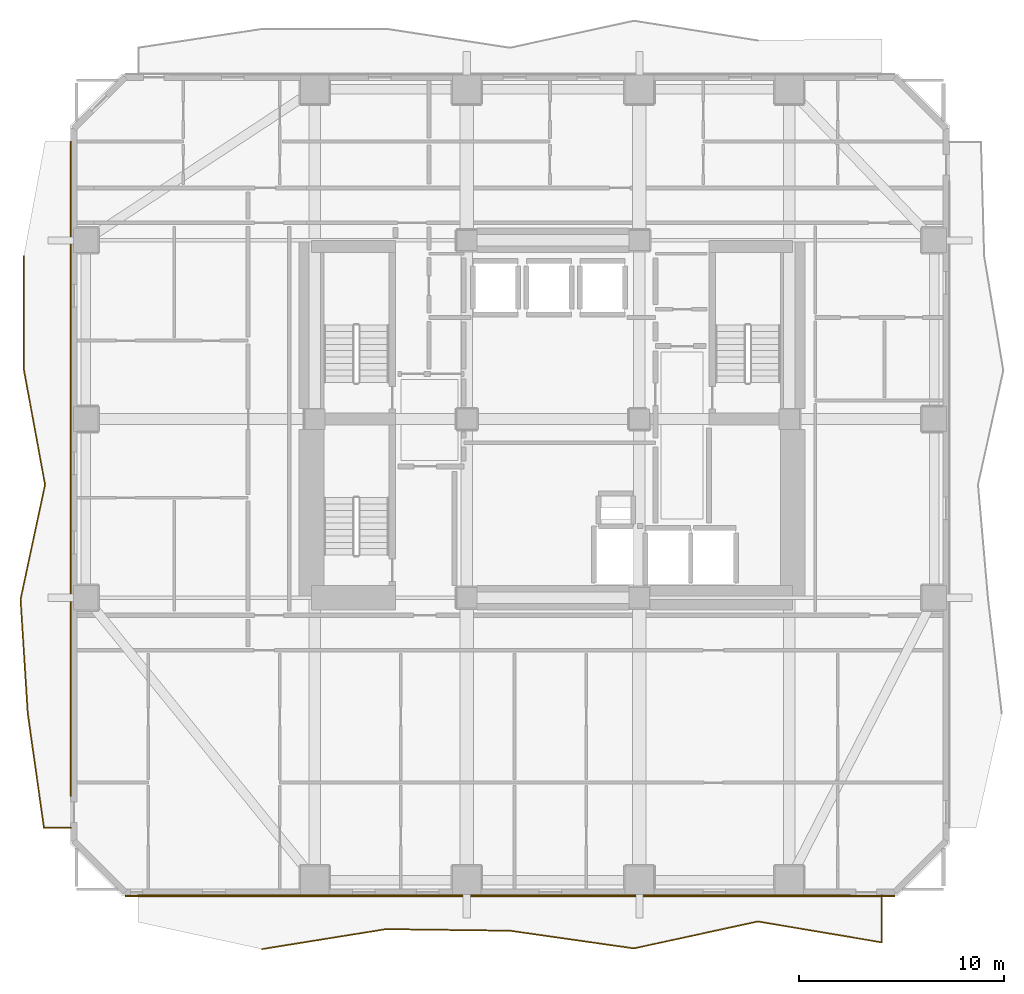
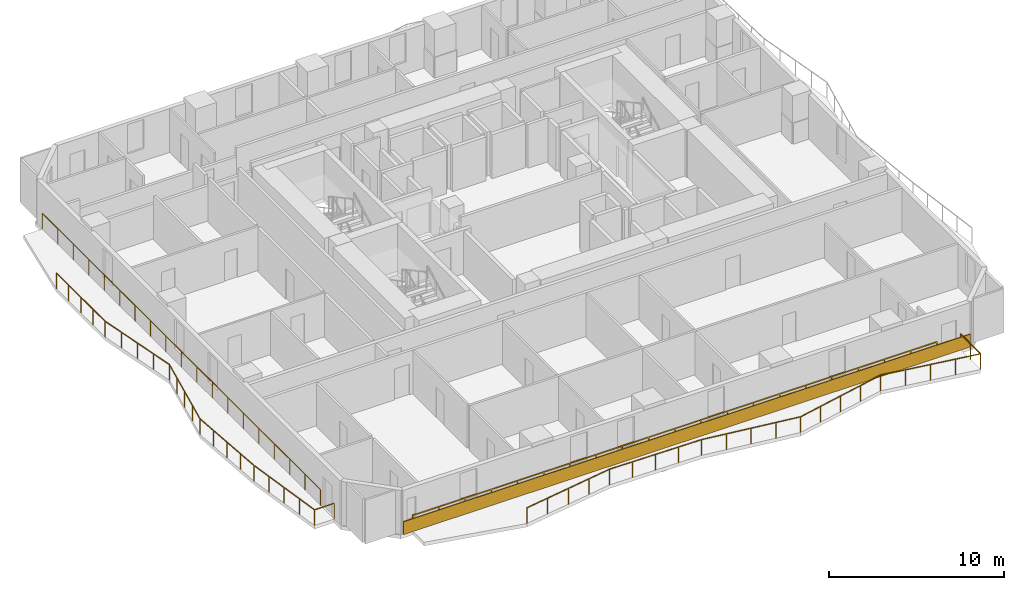
# One storey, part 8 of 11: 4 railings, 1 covering.
"""IFC4 building model written with IfcOpenShell, lengths in metres."""

from ifc_helpers import new_model, si_unit, direction, frame, frame_2d, origin, origin_2d, place, context, subcontext, project, spatial, rectangle, extrude, material, layer, layer_set, type_object, element, save


model = new_model("IFC4")

# Units and contexts
model_context = context("Model", 3, precision=1e-05, world=origin(), true_north=direction((0.0, 1.0)))
body_context = subcontext(model_context, "Body", "Model", "MODEL_VIEW")
ifc_project = project(units=[si_unit("LENGTHUNIT", "METRE"), si_unit("AREAUNIT", "SQUARE_METRE"), si_unit("VOLUMEUNIT", "CUBIC_METRE"), si_unit("PLANEANGLEUNIT", "RADIAN"), si_unit("MASSUNIT", "GRAM", prefix="KILO")], contexts=[model_context])

# Site, building, storey
site_placement = place(None, origin())
site = spatial("IfcSite", under=ifc_project, at=site_placement, CompositionType="ELEMENT")
building_placement = place(site_placement, origin())
building = spatial("IfcBuilding", under=site, at=building_placement, Name="Solanera Arch Residences", CompositionType="ELEMENT")
storey_placement = place(building_placement, frame((0.0, 0.0, 35.280029296875)))
storey = spatial("IfcBuildingStorey", under=building, at=storey_placement, Name="L09", CompositionType="ELEMENT", Elevation=35.280029296875)

# Railings
ifc_material_1 = material(Name="Steel S355 (ASTM A992 / A572 Grade 50)", Category="steel")
railing_type = type_object("IfcRailingType", Name="Balustrade Railing BL-1100", PredefinedType="BALUSTRADE", material=ifc_material_1)
railing_1_placement = place(storey_placement, frame((10.8330078125, 4.89404296875, 0.0)))
element("IfcRailing", 1, at=railing_1_placement, inside=storey, type_object=railing_type, Name="L09 S Balcony Balustrade 1", PredefinedType="BALUSTRADE", context=body_context, shape_type="SweptSolid", body=[
    extrude(rectangle(XDim=0.048095703125, YDim=0.048095703125, at=origin_2d()), frame((0.0, 0.0, 1.09619140625), z_axis=(0.987274320338, 0.159026464466, 0.0), x_axis=(-0.159026464466, 0.987274320338, 0.0)), (0.0, 0.0, 1.0), 6.11181640625),
    extrude(rectangle(XDim=0.048095703125, YDim=0.048095703125, at=origin_2d()), frame((6.033935546875, 0.971923828125, 1.09619140625), z_axis=(0.999916686294, -0.012908155191, 0.0), x_axis=(0.012908155191, 0.999916686294, 0.0)), (0.0, 0.0, 1.0), 6.033447265625),
    extrude(rectangle(XDim=0.048095703125, YDim=0.048095703125, at=origin_2d()), frame((12.06689453125, 0.89404296875, 1.09619140625), z_axis=(0.989967912954, -0.14129236116, 0.0), x_axis=(0.14129236116, 0.989967912954, 0.0)), (0.0, 0.0, 1.0), 6.09423828125),
    extrude(rectangle(XDim=0.048095703125, YDim=0.048095703125, at=origin_2d()), frame((18.10009765625, 0.032958984375, 1.09619140625), z_axis=(0.977199553197, 0.212322945607, 0.0), x_axis=(-0.212322945607, 0.977199553197, 0.0)), (0.0, 0.0, 1.0), 6.1748046875),
    extrude(rectangle(XDim=0.048095703125, YDim=0.048095703125, at=origin_2d()), frame((24.134033203125, 1.343994140625, 1.09619140625), z_axis=(0.986084825782, -0.166242943799, 0.0), x_axis=(0.166242943799, 0.986084825782, 0.0)), (0.0, 0.0, 1.0), 6.1181640625),
    extrude(rectangle(XDim=0.048095703125, YDim=0.048095703125, at=origin_2d()), frame((30.1669921875, 0.326904296875, 1.09619140625), z_axis=(0.0, 1.0, 0.0), x_axis=(-1.0, 0.0, 0.0)), (0.0, 0.0, 1.0), 2.299072265625),
    extrude(rectangle(XDim=0.0419921875, YDim=0.0419921875, at=origin_2d()), origin(), (0.0, 0.0, 1.0), 1.072021484375),
    extrude(rectangle(XDim=0.0419921875, YDim=0.0419921875, at=origin_2d()), frame((1.508544921875, 0.242919921875, 0.0)), (0.0, 0.0, 1.0), 1.072021484375),
    extrude(rectangle(XDim=0.0419921875, YDim=0.0419921875, at=origin_2d()), frame((3.01708984375, 0.48583984375, 0.0)), (0.0, 0.0, 1.0), 1.072021484375),
    extrude(rectangle(XDim=0.0419921875, YDim=0.0419921875, at=origin_2d()), frame((4.525390625, 0.72900390625, 0.0)), (0.0, 0.0, 1.0), 1.072021484375),
    extrude(rectangle(XDim=0.0419921875, YDim=0.0419921875, at=origin_2d()), frame((6.033935546875, 0.971923828125, 0.0)), (0.0, 0.0, 1.0), 1.072021484375),
    extrude(rectangle(XDim=0.0419921875, YDim=0.0419921875, at=origin_2d()), frame((7.542236328125, 0.952392578125, 0.0)), (0.0, 0.0, 1.0), 1.072021484375),
    extrude(rectangle(XDim=0.0419921875, YDim=0.0419921875, at=origin_2d()), frame((9.05029296875, 0.93310546875, 0.0)), (0.0, 0.0, 1.0), 1.072021484375),
    extrude(rectangle(XDim=0.0419921875, YDim=0.0419921875, at=origin_2d()), frame((10.55859375, 0.91357421875, 0.0)), (0.0, 0.0, 1.0), 1.072021484375),
    extrude(rectangle(XDim=0.0419921875, YDim=0.0419921875, at=origin_2d()), frame((12.06689453125, 0.89404296875, 0.0)), (0.0, 0.0, 1.0), 1.072021484375),
    extrude(rectangle(XDim=0.0419921875, YDim=0.0419921875, at=origin_2d()), frame((13.5751953125, 0.6787109375, 0.0)), (0.0, 0.0, 1.0), 1.072021484375),
    extrude(rectangle(XDim=0.0419921875, YDim=0.0419921875, at=origin_2d()), frame((15.08349609375, 0.46337890625, 0.0)), (0.0, 0.0, 1.0), 1.072021484375),
    extrude(rectangle(XDim=0.0419921875, YDim=0.0419921875, at=origin_2d()), frame((16.591796875, 0.248291015625, 0.0)), (0.0, 0.0, 1.0), 1.072021484375),
    extrude(rectangle(XDim=0.0419921875, YDim=0.0419921875, at=origin_2d()), frame((18.10009765625, 0.032958984375, 0.0)), (0.0, 0.0, 1.0), 1.072021484375),
    extrude(rectangle(XDim=0.0419921875, YDim=0.0419921875, at=origin_2d()), frame((19.608642578125, 0.36083984375, 0.0)), (0.0, 0.0, 1.0), 1.072021484375),
    extrude(rectangle(XDim=0.0419921875, YDim=0.0419921875, at=origin_2d()), frame((21.1171875, 0.6884765625, 0.0)), (0.0, 0.0, 1.0), 1.072021484375),
    extrude(rectangle(XDim=0.0419921875, YDim=0.0419921875, at=origin_2d()), frame((22.62548828125, 1.01611328125, 0.0)), (0.0, 0.0, 1.0), 1.072021484375),
    extrude(rectangle(XDim=0.0419921875, YDim=0.0419921875, at=origin_2d()), frame((24.134033203125, 1.343994140625, 0.0)), (0.0, 0.0, 1.0), 1.072021484375),
    extrude(rectangle(XDim=0.0419921875, YDim=0.0419921875, at=origin_2d()), frame((25.642333984375, 1.08984375, 0.0)), (0.0, 0.0, 1.0), 1.072021484375),
    extrude(rectangle(XDim=0.0419921875, YDim=0.0419921875, at=origin_2d()), frame((27.150390625, 0.83544921875, 0.0)), (0.0, 0.0, 1.0), 1.072021484375),
    extrude(rectangle(XDim=0.0419921875, YDim=0.0419921875, at=origin_2d()), frame((28.65869140625, 0.5810546875, 0.0)), (0.0, 0.0, 1.0), 1.072021484375),
    extrude(rectangle(XDim=0.0419921875, YDim=0.0419921875, at=origin_2d()), frame((30.1669921875, 0.326904296875, 0.0)), (0.0, 0.0, 1.0), 1.072021484375),
    extrude(rectangle(XDim=0.0419921875, YDim=0.0419921875, at=origin_2d()), frame((30.1669921875, 1.4765625, 0.0)), (0.0, 0.0, 1.0), 1.072021484375),
    extrude(rectangle(XDim=0.0419921875, YDim=0.0419921875, at=origin_2d()), frame((30.1669921875, 2.6259765625, 0.0)), (0.0, 0.0, 1.0), 1.072021484375),
])
railing_2_placement = place(storey_placement, frame((39.43408203125, 7.52001953125, 0.0)))
element("IfcRailing", 2, at=railing_2_placement, inside=storey, type_object=railing_type, Name="L09 S Balcony Balustrade 2", PredefinedType="BALUSTRADE", context=body_context, shape_type="SweptSolid", body=[
    extrude(rectangle(XDim=0.048095703125, YDim=0.048095703125, at=origin_2d()), frame((0.0, 0.0, 1.09619140625), z_axis=(-1.0, 0.0, 0.0), x_axis=(0.0, -1.0, 0.0)), (0.0, 0.0, 1.0), 34.634033203125),
    extrude(rectangle(XDim=0.0419921875, YDim=0.0419921875, at=origin_2d()), origin(), (0.0, 0.0, 1.0), 1.072021484375),
    extrude(rectangle(XDim=0.0419921875, YDim=0.0419921875, at=origin_2d()), frame((-1.731689453125, 0.0, 0.0)), (0.0, 0.0, 1.0), 1.072021484375),
    extrude(rectangle(XDim=0.0419921875, YDim=0.0419921875, at=origin_2d()), frame((-3.46337890625, 0.0, 0.0)), (0.0, 0.0, 1.0), 1.072021484375),
    extrude(rectangle(XDim=0.0419921875, YDim=0.0419921875, at=origin_2d()), frame((-5.195068359375, 0.0, 0.0)), (0.0, 0.0, 1.0), 1.072021484375),
    extrude(rectangle(XDim=0.0419921875, YDim=0.0419921875, at=origin_2d()), frame((-6.9267578125, 0.0, 0.0)), (0.0, 0.0, 1.0), 1.072021484375),
    extrude(rectangle(XDim=0.0419921875, YDim=0.0419921875, at=origin_2d()), frame((-8.658447265625, 0.0, 0.0)), (0.0, 0.0, 1.0), 1.072021484375),
    extrude(rectangle(XDim=0.0419921875, YDim=0.0419921875, at=origin_2d()), frame((-10.39013671875, 0.0, 0.0)), (0.0, 0.0, 1.0), 1.072021484375),
    extrude(rectangle(XDim=0.0419921875, YDim=0.0419921875, at=origin_2d()), frame((-12.121826171875, 0.0, 0.0)), (0.0, 0.0, 1.0), 1.072021484375),
    extrude(rectangle(XDim=0.0419921875, YDim=0.0419921875, at=origin_2d()), frame((-13.853515625, 0.0, 0.0)), (0.0, 0.0, 1.0), 1.072021484375),
    extrude(rectangle(XDim=0.0419921875, YDim=0.0419921875, at=origin_2d()), frame((-15.585205078125, 0.0, 0.0)), (0.0, 0.0, 1.0), 1.072021484375),
    extrude(rectangle(XDim=0.0419921875, YDim=0.0419921875, at=origin_2d()), frame((-17.31689453125, 0.0, 0.0)), (0.0, 0.0, 1.0), 1.072021484375),
    extrude(rectangle(XDim=0.0419921875, YDim=0.0419921875, at=origin_2d()), frame((-19.048828125, 0.0, 0.0)), (0.0, 0.0, 1.0), 1.072021484375),
    extrude(rectangle(XDim=0.0419921875, YDim=0.0419921875, at=origin_2d()), frame((-20.780517578125, 0.0, 0.0)), (0.0, 0.0, 1.0), 1.072021484375),
    extrude(rectangle(XDim=0.0419921875, YDim=0.0419921875, at=origin_2d()), frame((-22.51220703125, 0.0, 0.0)), (0.0, 0.0, 1.0), 1.072021484375),
    extrude(rectangle(XDim=0.0419921875, YDim=0.0419921875, at=origin_2d()), frame((-24.243896484375, 0.0, 0.0)), (0.0, 0.0, 1.0), 1.072021484375),
    extrude(rectangle(XDim=0.0419921875, YDim=0.0419921875, at=origin_2d()), frame((-25.9755859375, 0.0, 0.0)), (0.0, 0.0, 1.0), 1.072021484375),
    extrude(rectangle(XDim=0.0419921875, YDim=0.0419921875, at=origin_2d()), frame((-27.707275390625, 0.0, 0.0)), (0.0, 0.0, 1.0), 1.072021484375),
    extrude(rectangle(XDim=0.0419921875, YDim=0.0419921875, at=origin_2d()), frame((-29.43896484375, 0.0, 0.0)), (0.0, 0.0, 1.0), 1.072021484375),
    extrude(rectangle(XDim=0.0419921875, YDim=0.0419921875, at=origin_2d()), frame((-31.170654296875, 0.0, 0.0)), (0.0, 0.0, 1.0), 1.072021484375),
    extrude(rectangle(XDim=0.0419921875, YDim=0.0419921875, at=origin_2d()), frame((-32.90234375, 0.0, 0.0)), (0.0, 0.0, 1.0), 1.072021484375),
    extrude(rectangle(XDim=0.0419921875, YDim=0.0419921875, at=origin_2d()), frame((-34.634033203125, 0.0, 0.0)), (0.0, 0.0, 1.0), 1.072021484375),
])
railing_3_placement = place(storey_placement, frame((-0.77099609375, 38.633056640625, 0.0)))
element("IfcRailing", 3, at=railing_3_placement, inside=storey, type_object=railing_type, Name="L09 W Balcony Balustrade 1", PredefinedType="BALUSTRADE", context=body_context, shape_type="SweptSolid", body=[
    extrude(rectangle(XDim=0.048095703125, YDim=0.048095703125, at=origin_2d()), frame((0.0, 0.0, 1.09619140625), z_axis=(0.001622876059, -0.999998683136, 0.0), x_axis=(0.999998683136, 0.001622876059, 0.0)), (0.0, 0.0, 1.0), 5.566162109375),
    extrude(rectangle(XDim=0.048095703125, YDim=0.048095703125, at=origin_2d()), frame((0.009033203125, -5.566162109375, 1.09619140625), z_axis=(0.181063628986, -0.983471383548, 0.0), x_axis=(0.983471383548, 0.181063628986, 0.0)), (0.0, 0.0, 1.0), 5.660400390625),
    extrude(rectangle(XDim=0.048095703125, YDim=0.048095703125, at=origin_2d()), frame((1.033935546875, -11.133056640625, 1.09619140625), z_axis=(-0.209359223468, -0.977838798345, 0.0), x_axis=(0.977838798345, -0.209359223468, 0.0)), (0.0, 0.0, 1.0), 5.693115234375),
    extrude(rectangle(XDim=0.048095703125, YDim=0.048095703125, at=origin_2d()), frame((-0.157958984375, -16.699951171875, 1.09619140625), z_axis=(0.062729846452, -0.998030543803, 0.0), x_axis=(0.998030543803, 0.062729846452, 0.0)), (0.0, 0.0, 1.0), 5.5771484375),
    extrude(rectangle(XDim=0.048095703125, YDim=0.048095703125, at=origin_2d()), frame((0.19189453125, -22.26611328125, 1.09619140625), z_axis=(0.140168928366, -0.990127603656, 0.0), x_axis=(0.990127603656, 0.140168928366, 0.0)), (0.0, 0.0, 1.0), 5.622314453125),
    extrude(rectangle(XDim=0.048095703125, YDim=0.048095703125, at=origin_2d()), frame((0.97998046875, -27.8330078125, 1.09619140625), z_axis=(1.0, 0.0, 0.0), x_axis=(0.0, 1.0, 0.0)), (0.0, 0.0, 1.0), 1.31103515625),
    extrude(rectangle(XDim=0.0419921875, YDim=0.0419921875, at=origin_2d()), origin(), (0.0, 0.0, 1.0), 1.072021484375),
    extrude(rectangle(XDim=0.0419921875, YDim=0.0419921875, at=origin_2d()), frame((0.002197265625, -1.3916015625, 0.0)), (0.0, 0.0, 1.0), 1.072021484375),
    extrude(rectangle(XDim=0.0419921875, YDim=0.0419921875, at=origin_2d()), frame((0.00439453125, -2.783203125, 0.0)), (0.0, 0.0, 1.0), 1.072021484375),
    extrude(rectangle(XDim=0.0419921875, YDim=0.0419921875, at=origin_2d()), frame((0.0068359375, -4.174560546875, 0.0)), (0.0, 0.0, 1.0), 1.072021484375),
    extrude(rectangle(XDim=0.0419921875, YDim=0.0419921875, at=origin_2d()), frame((0.009033203125, -5.566162109375, 0.0)), (0.0, 0.0, 1.0), 1.072021484375),
    extrude(rectangle(XDim=0.0419921875, YDim=0.0419921875, at=origin_2d()), frame((0.26513671875, -6.9580078125, 0.0)), (0.0, 0.0, 1.0), 1.072021484375),
    extrude(rectangle(XDim=0.0419921875, YDim=0.0419921875, at=origin_2d()), frame((0.521484375, -8.349609375, 0.0)), (0.0, 0.0, 1.0), 1.072021484375),
    extrude(rectangle(XDim=0.0419921875, YDim=0.0419921875, at=origin_2d()), frame((0.77783203125, -9.7412109375, 0.0)), (0.0, 0.0, 1.0), 1.072021484375),
    extrude(rectangle(XDim=0.0419921875, YDim=0.0419921875, at=origin_2d()), frame((1.033935546875, -11.133056640625, 0.0)), (0.0, 0.0, 1.0), 1.072021484375),
    extrude(rectangle(XDim=0.0419921875, YDim=0.0419921875, at=origin_2d()), frame((0.73583984375, -12.52490234375, 0.0)), (0.0, 0.0, 1.0), 1.072021484375),
    extrude(rectangle(XDim=0.0419921875, YDim=0.0419921875, at=origin_2d()), frame((0.43798828125, -13.91650390625, 0.0)), (0.0, 0.0, 1.0), 1.072021484375),
    extrude(rectangle(XDim=0.0419921875, YDim=0.0419921875, at=origin_2d()), frame((0.14013671875, -15.30810546875, 0.0)), (0.0, 0.0, 1.0), 1.072021484375),
    extrude(rectangle(XDim=0.0419921875, YDim=0.0419921875, at=origin_2d()), frame((-0.157958984375, -16.699951171875, 0.0)), (0.0, 0.0, 1.0), 1.072021484375),
    extrude(rectangle(XDim=0.0419921875, YDim=0.0419921875, at=origin_2d()), frame((-0.070556640625, -18.091552734375, 0.0)), (0.0, 0.0, 1.0), 1.072021484375),
    extrude(rectangle(XDim=0.0419921875, YDim=0.0419921875, at=origin_2d()), frame((0.01708984375, -19.48291015625, 0.0)), (0.0, 0.0, 1.0), 1.072021484375),
    extrude(rectangle(XDim=0.0419921875, YDim=0.0419921875, at=origin_2d()), frame((0.1044921875, -20.87451171875, 0.0)), (0.0, 0.0, 1.0), 1.072021484375),
    extrude(rectangle(XDim=0.0419921875, YDim=0.0419921875, at=origin_2d()), frame((0.19189453125, -22.26611328125, 0.0)), (0.0, 0.0, 1.0), 1.072021484375),
    extrude(rectangle(XDim=0.0419921875, YDim=0.0419921875, at=origin_2d()), frame((0.388916015625, -23.65771484375, 0.0)), (0.0, 0.0, 1.0), 1.072021484375),
    extrude(rectangle(XDim=0.0419921875, YDim=0.0419921875, at=origin_2d()), frame((0.5859375, -25.049560546875, 0.0)), (0.0, 0.0, 1.0), 1.072021484375),
    extrude(rectangle(XDim=0.0419921875, YDim=0.0419921875, at=origin_2d()), frame((0.782958984375, -26.44140625, 0.0)), (0.0, 0.0, 1.0), 1.072021484375),
    extrude(rectangle(XDim=0.0419921875, YDim=0.0419921875, at=origin_2d()), frame((0.97998046875, -27.8330078125, 0.0)), (0.0, 0.0, 1.0), 1.072021484375),
    extrude(rectangle(XDim=0.0419921875, YDim=0.0419921875, at=origin_2d()), frame((2.291015625, -27.8330078125, 0.0)), (0.0, 0.0, 1.0), 1.072021484375),
])
railing_4_placement = place(storey_placement, frame((1.52001953125, 12.365966796875, 0.0)))
element("IfcRailing", 4, at=railing_4_placement, inside=storey, type_object=railing_type, Name="L09 W Balcony Balustrade 2", PredefinedType="BALUSTRADE", context=body_context, shape_type="SweptSolid", body=[
    extrude(rectangle(XDim=0.048095703125, YDim=0.048095703125, at=origin_2d()), frame((0.0, 0.0, 1.09619140625), z_axis=(0.0, 1.0, 0.0), x_axis=(-1.0, 0.0, 0.0)), (0.0, 0.0, 1.0), 31.833984375),
    extrude(rectangle(XDim=0.0419921875, YDim=0.0419921875, at=origin_2d()), origin(), (0.0, 0.0, 1.0), 1.072021484375),
    extrude(rectangle(XDim=0.0419921875, YDim=0.0419921875, at=origin_2d()), frame((0.0, 1.7685546875, 0.0)), (0.0, 0.0, 1.0), 1.072021484375),
    extrude(rectangle(XDim=0.0419921875, YDim=0.0419921875, at=origin_2d()), frame((0.0, 3.537109375, 0.0)), (0.0, 0.0, 1.0), 1.072021484375),
    extrude(rectangle(XDim=0.0419921875, YDim=0.0419921875, at=origin_2d()), frame((0.0, 5.3056640625, 0.0)), (0.0, 0.0, 1.0), 1.072021484375),
    extrude(rectangle(XDim=0.0419921875, YDim=0.0419921875, at=origin_2d()), frame((0.0, 7.07421875, 0.0)), (0.0, 0.0, 1.0), 1.072021484375),
    extrude(rectangle(XDim=0.0419921875, YDim=0.0419921875, at=origin_2d()), frame((0.0, 8.8427734375, 0.0)), (0.0, 0.0, 1.0), 1.072021484375),
    extrude(rectangle(XDim=0.0419921875, YDim=0.0419921875, at=origin_2d()), frame((0.0, 10.611328125, 0.0)), (0.0, 0.0, 1.0), 1.072021484375),
    extrude(rectangle(XDim=0.0419921875, YDim=0.0419921875, at=origin_2d()), frame((0.0, 12.3798828125, 0.0)), (0.0, 0.0, 1.0), 1.072021484375),
    extrude(rectangle(XDim=0.0419921875, YDim=0.0419921875, at=origin_2d()), frame((0.0, 14.1484375, 0.0)), (0.0, 0.0, 1.0), 1.072021484375),
    extrude(rectangle(XDim=0.0419921875, YDim=0.0419921875, at=origin_2d()), frame((0.0, 15.9169921875, 0.0)), (0.0, 0.0, 1.0), 1.072021484375),
    extrude(rectangle(XDim=0.0419921875, YDim=0.0419921875, at=origin_2d()), frame((0.0, 17.685546875, 0.0)), (0.0, 0.0, 1.0), 1.072021484375),
    extrude(rectangle(XDim=0.0419921875, YDim=0.0419921875, at=origin_2d()), frame((0.0, 19.4541015625, 0.0)), (0.0, 0.0, 1.0), 1.072021484375),
    extrude(rectangle(XDim=0.0419921875, YDim=0.0419921875, at=origin_2d()), frame((0.0, 21.22265625, 0.0)), (0.0, 0.0, 1.0), 1.072021484375),
    extrude(rectangle(XDim=0.0419921875, YDim=0.0419921875, at=origin_2d()), frame((0.0, 22.9912109375, 0.0)), (0.0, 0.0, 1.0), 1.072021484375),
    extrude(rectangle(XDim=0.0419921875, YDim=0.0419921875, at=origin_2d()), frame((0.0, 24.759765625, 0.0)), (0.0, 0.0, 1.0), 1.072021484375),
    extrude(rectangle(XDim=0.0419921875, YDim=0.0419921875, at=origin_2d()), frame((0.0, 26.5283203125, 0.0)), (0.0, 0.0, 1.0), 1.072021484375),
    extrude(rectangle(XDim=0.0419921875, YDim=0.0419921875, at=origin_2d()), frame((0.0, 28.296875, 0.0)), (0.0, 0.0, 1.0), 1.072021484375),
    extrude(rectangle(XDim=0.0419921875, YDim=0.0419921875, at=origin_2d()), frame((0.0, 30.0654296875, 0.0)), (0.0, 0.0, 1.0), 1.072021484375),
    extrude(rectangle(XDim=0.0419921875, YDim=0.0419921875, at=origin_2d()), frame((0.0, 31.833984375, 0.0)), (0.0, 0.0, 1.0), 1.072021484375),
])

# Covering
ifc_material_2 = material(Name="Philippine Adobe Travertine Cladding", Category="masonry")
ifc_layer = layer(ifc_material_2, 0.06005859375)
ifc_layer_set = layer_set([ifc_layer], Name="Philippine Adobe Travertine Cladding")
covering_type = type_object("IfcCoveringType", Name="Precast Pier Stone Cladding CLD-60", PredefinedType="CLADDING", material=ifc_layer_set)
covering_placement = place(storey_placement, frame((41.635009765625, 7.485107421875, 0.0), z_axis=(0.0, 0.0, 1.0), x_axis=(-1.0, 0.0, 0.0)))
element("IfcCovering", 5, at=covering_placement, inside=storey, type_object=covering_type, Name="L09 S Precast Spandrel Stone Band", PredefinedType="CLADDING", context=body_context, shape_type="SweptSolid", body=[
    extrude(rectangle(XDim=37.469970703125, YDim=0.06005859375, at=frame_2d((18.73486328125, 0.0))), origin(), (0.0, 0.0, 1.0), 0.89990234375),
])

save(model, "model.ifc")
